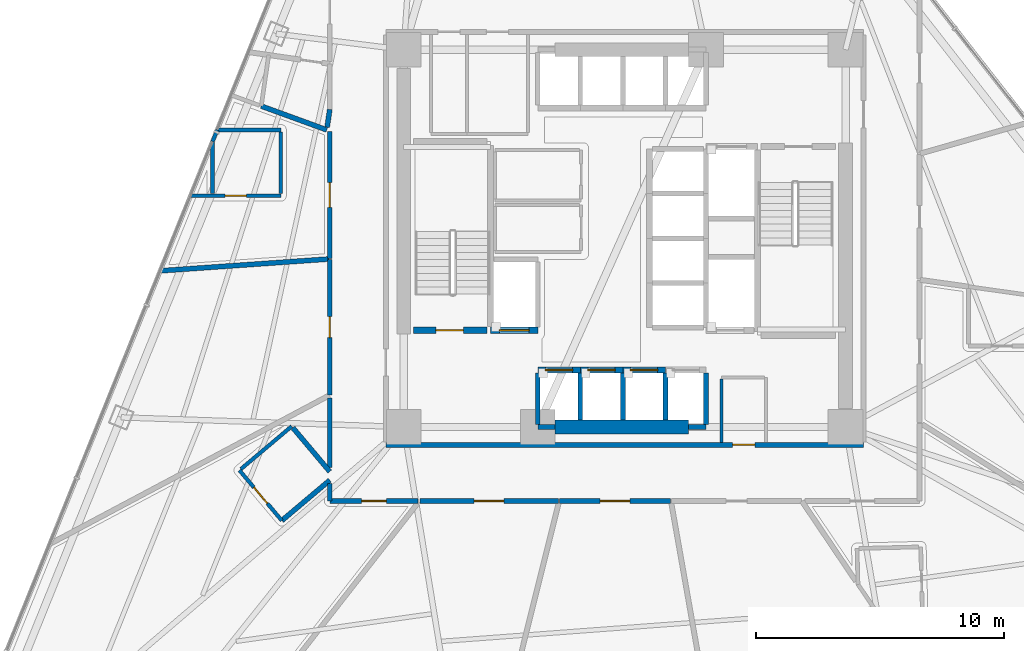
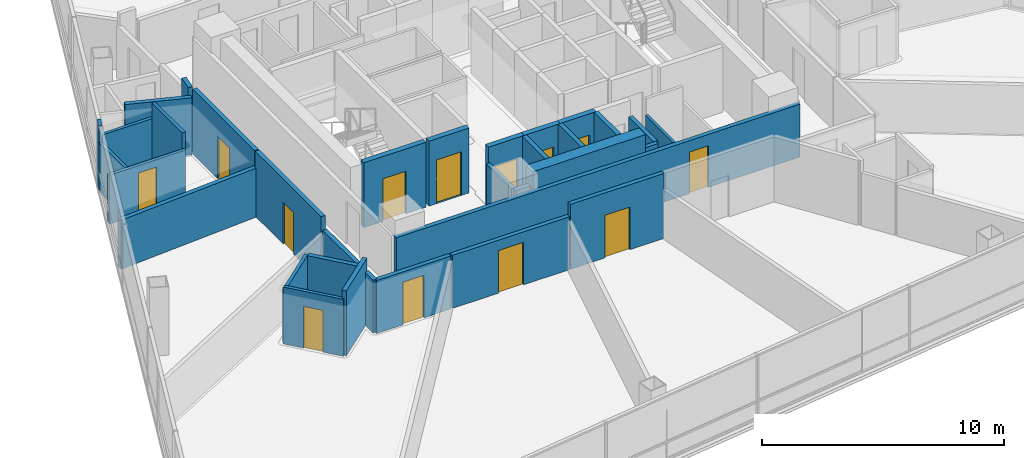
# One storey, part 7 of 15: 34 walls, 13 doors, 13 openings.
"""IFC4 building model written with IfcOpenShell, lengths in metres."""

from ifc_helpers import new_model, si_unit, direction, frame, frame_2d, origin, place, context, subcontext, project, spatial, rectangle, extrude, material, layer, layer_set, type_object, element, fill, save


model = new_model("IFC4")

# Units and contexts
model_context = context("Model", 3, precision=1e-05, world=origin(), true_north=direction((0.0, 1.0)))
body_context = subcontext(model_context, "Body", "Model", "MODEL_VIEW")
ifc_project = project(units=[si_unit("LENGTHUNIT", "METRE"), si_unit("AREAUNIT", "SQUARE_METRE"), si_unit("VOLUMEUNIT", "CUBIC_METRE"), si_unit("PLANEANGLEUNIT", "RADIAN"), si_unit("MASSUNIT", "GRAM", prefix="KILO")], contexts=[model_context])

# Site, building, storey
site_placement = place(None, origin())
site = spatial("IfcSite", under=ifc_project, at=site_placement, CompositionType="ELEMENT")
building_placement = place(site_placement, origin())
building = spatial("IfcBuilding", under=site, at=building_placement, Name="Tharavind Bronze Gate", CompositionType="ELEMENT")
storey_placement = place(building_placement, frame((0.0, 0.0, 67.300048828125)))
storey = spatial("IfcBuildingStorey", under=building, at=storey_placement, Name="L16", CompositionType="ELEMENT", Elevation=67.300048828125)

# Wall, opening, door
ifc_material_1 = material(Name="Aerated Concrete Block", Category="concrete")
ifc_layer_1 = layer(ifc_material_1, 0.199951171875)
ifc_layer_set_1 = layer_set([ifc_layer_1], Name="Aerated Concrete Block")
wall_type_1 = type_object("IfcWallType", Name="FIRE RATED PARTITION 200", PredefinedType="PARTITIONING", material=ifc_layer_set_1)
wall_1_placement = place(storey_placement, frame((-9.6201171875, -8.320068359375, 0.0), z_axis=(0.0, 0.0, 1.0), x_axis=(1.0, 0.0, 0.0)))
wall_1 = element("IfcWall", 1, at=wall_1_placement, inside=storey, type_object=wall_type_1, Name="L16 south core corridor wall", PredefinedType="PARTITIONING", context=body_context, shape_type="SweptSolid", body=[
    extrude(rectangle(XDim=19.240234375, YDim=0.199951171875, at=frame_2d((9.6201171875, 0.0))), origin(), (0.0, 0.0, 1.0), 2.669921875),
])
opening_1_placement = place(wall_1_placement, frame((13.969970703125, 0.0, 0.0)))
opening_1 = element("IfcOpeningElement", 2, at=opening_1_placement, cuts=wall_1, Name="Opening ID07", PredefinedType="OPENING", context=body_context, shape_type="SweptSolid", body=[
    extrude(rectangle(XDim=0.89990234375, YDim=2.10009765625, at=frame_2d((0.449951171875, 1.050048828125))), frame((0.0, 0.11009765625, 0.0), z_axis=(0.0, -1.0, 0.0), x_axis=(1.0, 0.0, 0.0)), (0.0, 0.0, 1.0), 0.219951171875),
])
ifc_material_2 = material(Name="Galvanised Fire Steel", Category="steel")
door_type_1 = type_object("IfcDoorType", Name="PLANT AND RISER FIRE DOOR 900X2100", OperationType="SINGLE_SWING_LEFT", PredefinedType="DOOR", material=ifc_material_2)
door_1_placement = place(opening_1_placement, frame((0.89990234375, 0.0, 0.0), z_axis=(0.0, 0.0, 1.0), x_axis=(-1.0, 0.0, 0.0)))
door_1 = element("IfcDoor", 3, at=door_1_placement, inside=storey, type_object=door_type_1, Name="L16 Janitor Store Cupboard fire door", OperationType="SINGLE_SWING_LEFT", OverallHeight=2.10009765625, OverallWidth=0.89990234375, PredefinedType="DOOR", context=body_context, shape_type="SweptSolid", body=[
    extrude(rectangle(XDim=0.89990234375, YDim=2.10009765625, at=frame_2d((0.449951171875, 1.050048828125))), frame((0.0, 0.02490234375, 0.0), z_axis=(0.0, -1.0, 0.0), x_axis=(1.0, 0.0, 0.0)), (0.0, 0.0, 1.0), 0.050048828125),
])
fill(opening_1, door_1)

# Walls
wall_2_placement = place(storey_placement, frame((-12.0, 4.36767578125, 0.0), z_axis=(0.0, 0.0, 1.0), x_axis=(-0.939689330019, 0.342029184499, 0.0)))
element("IfcWall", 4, at=wall_2_placement, inside=storey, type_object=wall_type_1, Name="L16 En-Suite Bathroom partition", PredefinedType="PARTITIONING", context=body_context, shape_type="SweptSolid", body=[
    extrude(rectangle(XDim=2.808837890625, YDim=0.199951171875, at=frame_2d((1.404296875, 0.0))), origin(), (0.0, 0.0, 1.0), 2.869873046875),
])
wall_3_placement = place(storey_placement, frame((-11.8798828125, 5.19384765625, 0.0), z_axis=(0.0, 0.0, 1.0), x_axis=(-0.143909981619, -0.989590782693, 0.0)))
element("IfcWall", 5, at=wall_3_placement, inside=storey, type_object=wall_type_1, Name="L16 En-Suite Bathroom partition", PredefinedType="PARTITIONING", context=body_context, shape_type="SweptSolid", body=[
    extrude(rectangle(XDim=0.727783203125, YDim=0.199951171875, at=frame_2d((0.36376953125, 0.0))), origin(), (0.0, 0.0, 1.0), 3.27490234375),
])
wall_4_placement = place(storey_placement, frame((-11.8798828125, -9.744873046875, 0.0), z_axis=(0.0, 0.0, 1.0), x_axis=(-0.764712982519, -0.644371053328, 0.0)))
element("IfcWall", 6, at=wall_4_placement, inside=storey, type_object=wall_type_1, Name="L16 En-Suite Bathroom partition", PredefinedType="PARTITIONING", context=body_context, shape_type="SweptSolid", body=[
    extrude(rectangle(XDim=2.523681640625, YDim=0.199951171875, at=frame_2d((1.26171875, 0.0))), origin(), (0.0, 0.0, 1.0), 3.27490234375),
])
wall_5_placement = place(storey_placement, frame((-13.363037109375, -7.6337890625, 0.0), z_axis=(0.0, 0.0, 1.0), x_axis=(0.644400290836, -0.764688345125, 0.0)))
element("IfcWall", 7, at=wall_5_placement, inside=storey, type_object=wall_type_1, Name="L16 En-Suite Bathroom partition", PredefinedType="PARTITIONING", context=body_context, shape_type="SweptSolid", body=[
    extrude(rectangle(XDim=2.301513671875, YDim=0.199951171875, at=frame_2d((1.15087890625, 0.0))), origin(), (0.0, 0.0, 1.0), 2.669921875),
])
wall_6_placement = place(storey_placement, frame((-18.688232421875, -1.306884765625, 0.0), z_axis=(0.0, 0.0, 1.0), x_axis=(0.997562443225, 0.069779451603, 0.0)))
element("IfcWall", 8, at=wall_6_placement, inside=storey, type_object=wall_type_1, Name="L16 Public Restrooms Block partition", PredefinedType="PARTITIONING", context=body_context, shape_type="SweptSolid", body=[
    extrude(rectangle(XDim=6.798095703125, YDim=0.199951171875, at=frame_2d((3.39892578125, 0.0))), origin(), (0.0, 0.0, 1.0), 2.469970703125),
])

# Wall, opening, door
wall_7_placement = place(storey_placement, frame((-11.8798828125, -0.857421875, 0.0), z_axis=(0.0, 0.0, 1.0), x_axis=(0.0, -1.0, 0.0)))
wall_7 = element("IfcWall", 9, at=wall_7_placement, inside=storey, type_object=wall_type_1, Name="L16 Public Restrooms Block partition", PredefinedType="PARTITIONING", context=body_context, shape_type="SweptSolid", body=[
    extrude(rectangle(XDim=5.4443359375, YDim=0.199951171875, at=frame_2d((2.72216796875, 0.0))), origin(), (0.0, 0.0, 1.0), 3.27490234375),
])
opening_2_placement = place(wall_7_placement, frame((2.297119140625, 0.0, 0.0)))
opening_2 = element("IfcOpeningElement", 10, at=opening_2_placement, cuts=wall_7, Name="Opening ID06", PredefinedType="OPENING", context=body_context, shape_type="SweptSolid", body=[
    extrude(rectangle(XDim=0.85009765625, YDim=2.10009765625, at=frame_2d((0.425048828125, 1.050048828125))), frame((0.0, 0.11009765625, 0.0), z_axis=(0.0, -1.0, 0.0), x_axis=(1.0, 0.0, 0.0)), (0.0, 0.0, 1.0), 0.219951171875),
])
ifc_material_3 = material(Name="Moisture-Resistant Timber", Category="wood")
door_type_2 = type_object("IfcDoorType", Name="BATHROOM PRIVACY DOOR 850X2100", OperationType="SINGLE_SWING_RIGHT", PredefinedType="DOOR", material=ifc_material_3)
door_2_placement = place(opening_2_placement, origin())
door_2 = element("IfcDoor", 11, at=door_2_placement, inside=storey, type_object=door_type_2, Name="L16 Public Restrooms Block door", OperationType="SINGLE_SWING_RIGHT", OverallHeight=2.10009765625, OverallWidth=0.85009765625, PredefinedType="DOOR", context=body_context, shape_type="SweptSolid", body=[
    extrude(rectangle(XDim=0.85009765625, YDim=2.10009765625, at=frame_2d((0.425048828125, 1.050048828125))), frame((0.0, 0.02490234375, 0.0), z_axis=(0.0, -1.0, 0.0), x_axis=(1.0, 0.0, 0.0)), (0.0, 0.0, 1.0), 0.050048828125),
])
fill(opening_2, door_2)

wall_8_placement = place(storey_placement, frame((-11.8798828125, 4.306396484375, 0.0), z_axis=(0.0, 0.0, 1.0), x_axis=(0.0, -1.0, 0.0)))
wall_8 = element("IfcWall", 12, at=wall_8_placement, inside=storey, type_object=wall_type_1, Name="L16 Hotel Guest Room partition", PredefinedType="PARTITIONING", context=body_context, shape_type="SweptSolid", body=[
    extrude(rectangle(XDim=5.11376953125, YDim=0.199951171875, at=frame_2d((2.556884765625, 0.0))), origin(), (0.0, 0.0, 1.0), 3.27490234375),
])
opening_3_placement = place(wall_8_placement, frame((2.056884765625, 0.0, 0.0)))
opening_3 = element("IfcOpeningElement", 13, at=opening_3_placement, cuts=wall_8, Name="Opening ID03", PredefinedType="OPENING", context=body_context, shape_type="SweptSolid", body=[
    extrude(rectangle(XDim=1.0, YDim=2.14990234375, at=frame_2d((0.5, 1.074951171875))), frame((0.0, 0.11009765625, 0.0), z_axis=(0.0, -1.0, 0.0), x_axis=(1.0, 0.0, 0.0)), (0.0, 0.0, 1.0), 0.219951171875),
])
ifc_material_4 = material(Name="Solid Timber Veneer", Category="wood")
door_type_3 = type_object("IfcDoorType", Name="HOTEL SUITE ENTRANCE DOOR 1000X2150", OperationType="SINGLE_SWING_LEFT", PredefinedType="DOOR", material=ifc_material_4)
door_3_placement = place(opening_3_placement, origin())
door_3 = element("IfcDoor", 14, at=door_3_placement, inside=storey, type_object=door_type_3, Name="L16 Hotel Guest Room door", OperationType="SINGLE_SWING_LEFT", OverallHeight=2.14990234375, OverallWidth=1.0, PredefinedType="DOOR", context=body_context, shape_type="SweptSolid", body=[
    extrude(rectangle(XDim=1.0, YDim=2.14990234375, at=frame_2d((0.5, 1.074951171875))), frame((0.0, 0.02490234375, 0.0), z_axis=(0.0, -1.0, 0.0), x_axis=(1.0, 0.0, 0.0)), (0.0, 0.0, 1.0), 0.050048828125),
])
fill(opening_3, door_3)

# Walls
wall_9_placement = place(storey_placement, frame((-11.8798828125, -6.435546875, 0.0), z_axis=(0.0, 0.0, 1.0), x_axis=(0.0, -1.0, 0.0)))
element("IfcWall", 15, at=wall_9_placement, inside=storey, type_object=wall_type_1, Name="L16 Deluxe Hotel Suite partition", PredefinedType="PARTITIONING", context=body_context, shape_type="SweptSolid", body=[
    extrude(rectangle(XDim=2.795166015625, YDim=0.199951171875, at=frame_2d((1.3974609375, 0.0))), origin(), (0.0, 0.0, 1.0), 2.669921875),
])
wall_10_placement = place(storey_placement, frame((-11.8798828125, -9.882080078125, 0.0), z_axis=(0.0, 0.0, 1.0), x_axis=(0.0, -1.0, 0.0)))
element("IfcWall", 16, at=wall_10_placement, inside=storey, type_object=wall_type_1, Name="L16 Deluxe Hotel Suite partition", PredefinedType="PARTITIONING", context=body_context, shape_type="SweptSolid", body=[
    extrude(rectangle(XDim=0.697265625, YDim=0.199951171875, at=frame_2d((0.3486328125, 0.0))), origin(), (0.0, 0.0, 1.0), 2.669921875),
])

# Wall, opening, door
wall_11_placement = place(storey_placement, frame((-11.87939453125, -10.580078125, 0.0), z_axis=(0.0, 0.0, 1.0), x_axis=(1.0, 0.0, 0.0)))
wall_11 = element("IfcWall", 17, at=wall_11_placement, inside=storey, type_object=wall_type_1, Name="L16 Deluxe Hotel Suite partition", PredefinedType="PARTITIONING", context=body_context, shape_type="SweptSolid", body=[
    extrude(rectangle(XDim=3.56201171875, YDim=0.199951171875, at=frame_2d((1.781005859375, 0.0))), origin(), (0.0, 0.0, 1.0), 2.669921875),
])
opening_4_placement = place(wall_11_placement, frame((1.281005859375, 0.0, 0.0)))
opening_4 = element("IfcOpeningElement", 18, at=opening_4_placement, cuts=wall_11, Name="Opening ID03", PredefinedType="OPENING", context=body_context, shape_type="SweptSolid", body=[
    extrude(rectangle(XDim=1.0, YDim=2.14990234375, at=frame_2d((0.5, 1.074951171875))), frame((0.0, 0.11009765625, 0.0), z_axis=(0.0, -1.0, 0.0), x_axis=(1.0, 0.0, 0.0)), (0.0, 0.0, 1.0), 0.219951171875),
])
door_4_placement = place(opening_4_placement, origin())
door_4 = element("IfcDoor", 19, at=door_4_placement, inside=storey, type_object=door_type_3, Name="L16 Deluxe Hotel Suite door", OperationType="SINGLE_SWING_LEFT", OverallHeight=2.14990234375, OverallWidth=1.0, PredefinedType="DOOR", context=body_context, shape_type="SweptSolid", body=[
    extrude(rectangle(XDim=1.0, YDim=2.14990234375, at=frame_2d((0.5, 1.074951171875))), frame((0.0, 0.02490234375, 0.0), z_axis=(0.0, -1.0, 0.0), x_axis=(1.0, 0.0, 0.0)), (0.0, 0.0, 1.0), 0.050048828125),
])
fill(opening_4, door_4)

wall_12_placement = place(storey_placement, frame((-8.25390625, -10.580078125, 0.0), z_axis=(0.0, 0.0, 1.0), x_axis=(1.0, 0.0, 0.0)))
wall_12 = element("IfcWall", 20, at=wall_12_placement, inside=storey, type_object=wall_type_1, Name="L16 Hotel Guest Lounge partition", PredefinedType="PARTITIONING", context=body_context, shape_type="SweptSolid", body=[
    extrude(rectangle(XDim=5.583984375, YDim=0.199951171875, at=frame_2d((2.7919921875, 0.0))), origin(), (0.0, 0.0, 1.0), 2.669921875),
])
opening_5_placement = place(wall_12_placement, frame((2.19189453125, 0.0, 0.0)))
opening_5 = element("IfcOpeningElement", 21, at=opening_5_placement, cuts=wall_12, Name="Opening ID05", PredefinedType="OPENING", context=body_context, shape_type="SweptSolid", body=[
    extrude(rectangle(XDim=1.199951171875, YDim=2.14990234375, at=frame_2d((0.60009765625, 1.074951171875))), frame((0.0, 0.11009765625, 0.0), z_axis=(0.0, -1.0, 0.0), x_axis=(1.0, 0.0, 0.0)), (0.0, 0.0, 1.0), 0.219951171875),
])
ifc_material_5 = material(Name="Acoustic Laminated Glass", Category="glass")
door_type_4 = type_object("IfcDoorType", Name="MEETING ROOM GLAZED DOOR 1200X2150", OperationType="SINGLE_SWING_LEFT", PredefinedType="DOOR", material=ifc_material_5)
door_5_placement = place(opening_5_placement, origin())
door_5 = element("IfcDoor", 22, at=door_5_placement, inside=storey, type_object=door_type_4, Name="L16 Hotel Guest Lounge door", OperationType="SINGLE_SWING_LEFT", OverallHeight=2.14990234375, OverallWidth=1.199951171875, PredefinedType="DOOR", context=body_context, shape_type="SweptSolid", body=[
    extrude(rectangle(XDim=1.199951171875, YDim=2.14990234375, at=frame_2d((0.60009765625, 1.074951171875))), frame((0.0, 0.02490234375, 0.0), z_axis=(0.0, -1.0, 0.0), x_axis=(1.0, 0.0, 0.0)), (0.0, 0.0, 1.0), 0.050048828125),
])
fill(opening_5, door_5)

wall_13_placement = place(storey_placement, frame((-2.618408203125, -10.580078125, 0.0), z_axis=(0.0, 0.0, 1.0), x_axis=(1.0, 0.0, 0.0)))
wall_13 = element("IfcWall", 23, at=wall_13_placement, inside=storey, type_object=wall_type_1, Name="L16 Hotel Guest Lounge partition", PredefinedType="PARTITIONING", context=body_context, shape_type="SweptSolid", body=[
    extrude(rectangle(XDim=4.462890625, YDim=0.199951171875, at=frame_2d((2.2314453125, 0.0))), origin(), (0.0, 0.0, 1.0), 3.27490234375),
])
opening_6_placement = place(wall_13_placement, frame((1.631103515625, 0.0, 0.0)))
opening_6 = element("IfcOpeningElement", 24, at=opening_6_placement, cuts=wall_13, Name="Opening ID05", PredefinedType="OPENING", context=body_context, shape_type="SweptSolid", body=[
    extrude(rectangle(XDim=1.199951171875, YDim=2.14990234375, at=frame_2d((0.60009765625, 1.074951171875))), frame((0.0, 0.11009765625, 0.0), z_axis=(0.0, -1.0, 0.0), x_axis=(1.0, 0.0, 0.0)), (0.0, 0.0, 1.0), 0.219951171875),
])
door_6_placement = place(opening_6_placement, origin())
door_6 = element("IfcDoor", 25, at=door_6_placement, inside=storey, type_object=door_type_4, Name="L16 Hotel Guest Lounge door", OperationType="SINGLE_SWING_LEFT", OverallHeight=2.14990234375, OverallWidth=1.199951171875, PredefinedType="DOOR", context=body_context, shape_type="SweptSolid", body=[
    extrude(rectangle(XDim=1.199951171875, YDim=2.14990234375, at=frame_2d((0.60009765625, 1.074951171875))), frame((0.0, 0.02490234375, 0.0), z_axis=(0.0, -1.0, 0.0), x_axis=(1.0, 0.0, 0.0)), (0.0, 0.0, 1.0), 0.050048828125),
])
fill(opening_6, door_6)

# Wall
ifc_material_6 = material(Name="Metal Stud Gypsum Partition", Category="gypsum")
ifc_layer_2 = layer(ifc_material_6, 0.1201171875)
ifc_layer_set_2 = layer_set([ifc_layer_2], Name="Metal Stud Gypsum Partition")
wall_type_2 = type_object("IfcWallType", Name="INTERIOR PARTITION WALL 120", PredefinedType="PARTITIONING", material=ifc_layer_set_2)
wall_14_placement = place(storey_placement, frame((3.89990234375, -5.6650390625, 0.0), z_axis=(0.0, 0.0, 1.0), x_axis=(0.0, -1.0, 0.0)))
element("IfcWall", 26, at=wall_14_placement, inside=storey, type_object=wall_type_2, Name="L16 Janitor Store Cupboard partition 4", PredefinedType="PARTITIONING", context=body_context, shape_type="SweptSolid", body=[
    extrude(rectangle(XDim=2.550048828125, YDim=0.1201171875, at=frame_2d((1.27490234375, 0.0))), origin(), (0.0, 0.0, 1.0), 2.469970703125),
])

# Wall, opening, door
ifc_material_7 = material(Name="Twin Stud Acoustic Gypsum", Category="gypsum")
ifc_layer_3 = layer(ifc_material_7, 0.14990234375)
ifc_layer_set_3 = layer_set([ifc_layer_3], Name="Twin Stud Acoustic Gypsum")
wall_type_3 = type_object("IfcWallType", Name="INTERIOR PARTITION WALL 150", PredefinedType="PARTITIONING", material=ifc_layer_set_3)
wall_15_placement = place(storey_placement, frame((-13.85009765625, 1.717529296875, 0.0), z_axis=(0.0, 0.0, 1.0), x_axis=(-1.0, 0.0, 0.0)))
wall_15 = element("IfcWall", 27, at=wall_15_placement, inside=storey, type_object=wall_type_3, Name="L16 En-Suite Bathroom partition", PredefinedType="PARTITIONING", context=body_context, shape_type="SweptSolid", body=[
    extrude(rectangle(XDim=3.63134765625, YDim=0.14990234375, at=frame_2d((1.815673828125, 0.0))), origin(), (0.0, 0.0, 1.0), 2.469970703125),
])
opening_7_placement = place(wall_15_placement, frame((1.39111328125, 0.0, 0.0)))
opening_7 = element("IfcOpeningElement", 28, at=opening_7_placement, cuts=wall_15, Name="Opening ID06", PredefinedType="OPENING", context=body_context, shape_type="SweptSolid", body=[
    extrude(rectangle(XDim=0.85009765625, YDim=2.10009765625, at=frame_2d((0.425048828125, 1.050048828125))), frame((0.0, 0.084951171875, 0.0), z_axis=(0.0, -1.0, 0.0), x_axis=(1.0, 0.0, 0.0)), (0.0, 0.0, 1.0), 0.16990234375),
])
door_7_placement = place(opening_7_placement, origin())
door_7 = element("IfcDoor", 29, at=door_7_placement, inside=storey, type_object=door_type_2, Name="L16 En-Suite Bathroom door", OperationType="SINGLE_SWING_RIGHT", OverallHeight=2.10009765625, OverallWidth=0.85009765625, PredefinedType="DOOR", context=body_context, shape_type="SweptSolid", body=[
    extrude(rectangle(XDim=0.85009765625, YDim=2.10009765625, at=frame_2d((0.425048828125, 1.050048828125))), frame((0.0, 0.02490234375, 0.0), z_axis=(0.0, -1.0, 0.0), x_axis=(1.0, 0.0, 0.0)), (0.0, 0.0, 1.0), 0.050048828125),
])
fill(opening_7, door_7)

# Walls
wall_16_placement = place(storey_placement, frame((-16.60009765625, 1.797607421875, 0.0), z_axis=(0.0, 0.0, 1.0), x_axis=(0.0, 1.0, 0.0)))
element("IfcWall", 30, at=wall_16_placement, inside=storey, type_object=wall_type_3, Name="L16 En-Suite Bathroom partition", PredefinedType="PARTITIONING", context=body_context, shape_type="SweptSolid", body=[
    extrude(rectangle(XDim=2.1015625, YDim=0.14990234375, at=frame_2d((1.05078125, 0.0))), origin(), (0.0, 0.0, 1.0), 2.469970703125),
])
wall_17_placement = place(storey_placement, frame((-16.60009765625, 3.899169921875, 0.0), z_axis=(0.0, 0.0, 1.0), x_axis=(0.374886357565, 0.92707077341, 0.0)))
element("IfcWall", 31, at=wall_17_placement, inside=storey, type_object=wall_type_3, Name="L16 En-Suite Bathroom partition", PredefinedType="PARTITIONING", context=body_context, shape_type="SweptSolid", body=[
    extrude(rectangle(XDim=0.50537109375, YDim=0.14990234375, at=frame_2d((0.252685546875, 0.0))), origin(), (0.0, 0.0, 1.0), 3.27490234375),
])
wall_18_placement = place(storey_placement, frame((-16.41064453125, 4.36767578125, 0.0), z_axis=(0.0, 0.0, 1.0), x_axis=(1.0, 0.0, 0.0)))
element("IfcWall", 32, at=wall_18_placement, inside=storey, type_object=wall_type_3, Name="L16 En-Suite Bathroom partition", PredefinedType="PARTITIONING", context=body_context, shape_type="SweptSolid", body=[
    extrude(rectangle(XDim=2.560546875, YDim=0.14990234375, at=frame_2d((1.2802734375, 0.0))), origin(), (0.0, 0.0, 1.0), 2.469970703125),
])
wall_19_placement = place(storey_placement, frame((-13.85009765625, 4.28759765625, 0.0), z_axis=(0.0, 0.0, 1.0), x_axis=(0.0, -1.0, 0.0)))
element("IfcWall", 33, at=wall_19_placement, inside=storey, type_object=wall_type_3, Name="L16 En-Suite Bathroom partition", PredefinedType="PARTITIONING", context=body_context, shape_type="SweptSolid", body=[
    extrude(rectangle(XDim=2.489990234375, YDim=0.14990234375, at=frame_2d((1.2451171875, 0.0))), origin(), (0.0, 0.0, 1.0), 3.27490234375),
])

# Wall, opening, door
wall_20_placement = place(storey_placement, frame((-13.809814453125, -11.37109375, 0.0), z_axis=(0.0, 0.0, 1.0), x_axis=(-0.644478981733, 0.764622025647, 0.0)))
wall_20 = element("IfcWall", 34, at=wall_20_placement, inside=storey, type_object=wall_type_3, Name="L16 En-Suite Bathroom partition", PredefinedType="PARTITIONING", context=body_context, shape_type="SweptSolid", body=[
    extrude(rectangle(XDim=2.64990234375, YDim=0.14990234375, at=frame_2d((1.324951171875, 0.0))), origin(), (0.0, 0.0, 1.0), 2.869873046875),
])
opening_8_placement = place(wall_20_placement, frame((0.89990234375, 0.0, 0.0)))
opening_8 = element("IfcOpeningElement", 35, at=opening_8_placement, cuts=wall_20, Name="Opening ID06", PredefinedType="OPENING", context=body_context, shape_type="SweptSolid", body=[
    extrude(rectangle(XDim=0.85009765625, YDim=2.10009765625, at=frame_2d((0.425048828125, 1.050048828125))), frame((0.0, 0.084951171875, 0.0), z_axis=(0.0, -1.0, 0.0), x_axis=(1.0, 0.0, 0.0)), (0.0, 0.0, 1.0), 0.16990234375),
])
door_8_placement = place(opening_8_placement, origin())
door_8 = element("IfcDoor", 36, at=door_8_placement, inside=storey, type_object=door_type_2, Name="L16 En-Suite Bathroom door", OperationType="SINGLE_SWING_RIGHT", OverallHeight=2.10009765625, OverallWidth=0.85009765625, PredefinedType="DOOR", context=body_context, shape_type="SweptSolid", body=[
    extrude(rectangle(XDim=0.85009765625, YDim=2.10009765625, at=frame_2d((0.425048828125, 1.050048828125))), frame((0.0, 0.02490234375, 0.0), z_axis=(0.0, -1.0, 0.0), x_axis=(1.0, 0.0, 0.0)), (0.0, 0.0, 1.0), 0.050048828125),
])
fill(opening_8, door_8)

# Wall
wall_21_placement = place(storey_placement, frame((-15.456298828125, -9.293212890625, 0.0), z_axis=(0.0, 0.0, 1.0), x_axis=(0.764709608169, 0.644375057846, 0.0)))
element("IfcWall", 37, at=wall_21_placement, inside=storey, type_object=wall_type_3, Name="L16 En-Suite Bathroom partition", PredefinedType="PARTITIONING", context=body_context, shape_type="SweptSolid", body=[
    extrude(rectangle(XDim=2.669921875, YDim=0.14990234375, at=frame_2d((1.3349609375, 0.0))), origin(), (0.0, 0.0, 1.0), 2.669921875),
])

# Wall, opening, door
ifc_material_8 = material(Name="Concrete C50/60", Category="concrete")
ifc_layer_4 = layer(ifc_material_8, 0.25)
ifc_layer_set_4 = layer_set([ifc_layer_4], Name="Concrete C50/60")
wall_type_4 = type_object("IfcWallType", Name="RC CORE SHEAR WALL 250", PredefinedType="SHEAR", material=ifc_layer_set_4)
wall_22_placement = place(storey_placement, frame((-8.5, -3.699951171875, 0.0), z_axis=(0.0, 0.0, 1.0), x_axis=(1.0, 0.0, 0.0)))
wall_22 = element("IfcWall", 38, at=wall_22_placement, inside=storey, type_object=wall_type_4, Name="L16 ST1 shaft south wall", PredefinedType="SHEAR", context=body_context, shape_type="SweptSolid", body=[
    extrude(rectangle(XDim=2.949951171875, YDim=0.25, at=frame_2d((1.47509765625, 0.0))), origin(), (0.0, 0.0, 1.0), 3.27490234375),
])
opening_9_placement = place(wall_22_placement, frame((0.89990234375, 0.0, 0.0)))
opening_9 = element("IfcOpeningElement", 39, at=opening_9_placement, cuts=wall_22, Name="Opening ID01", PredefinedType="OPENING", context=body_context, shape_type="SweptSolid", body=[
    extrude(rectangle(XDim=1.10009765625, YDim=2.14990234375, at=frame_2d((0.550048828125, 1.074951171875))), frame((0.0, 0.135, 0.0), z_axis=(0.0, -1.0, 0.0), x_axis=(1.0, 0.0, 0.0)), (0.0, 0.0, 1.0), 0.27),
])
ifc_material_9 = material(Name="Fire-Rated Steel", Category="steel")
door_type_5 = type_object("IfcDoorType", Name="STAIR CORE FIRE DOOR 1100X2150", OperationType="SINGLE_SWING_LEFT", PredefinedType="DOOR", material=ifc_material_9)
door_9_placement = place(opening_9_placement, origin())
door_9 = element("IfcDoor", 40, at=door_9_placement, inside=storey, type_object=door_type_5, Name="L16 exit stair ST1 fire door", OperationType="SINGLE_SWING_LEFT", OverallHeight=2.14990234375, OverallWidth=1.10009765625, PredefinedType="DOOR", context=body_context, shape_type="SweptSolid", body=[
    extrude(rectangle(XDim=1.10009765625, YDim=2.14990234375, at=frame_2d((0.550048828125, 1.074951171875))), frame((0.0, 0.02490234375, 0.0), z_axis=(0.0, -1.0, 0.0), x_axis=(1.0, 0.0, 0.0)), (0.0, 0.0, 1.0), 0.050048828125),
])
fill(opening_9, door_9)

wall_23_placement = place(storey_placement, frame((-3.5, -5.300048828125, 0.0), z_axis=(0.0, 0.0, 1.0), x_axis=(1.0, 0.0, 0.0)))
wall_23 = element("IfcWall", 41, at=wall_23_placement, inside=storey, type_object=wall_type_4, Name="L16 lift PL1 shaft front wall", PredefinedType="SHEAR", context=body_context, shape_type="SweptSolid", body=[
    extrude(rectangle(XDim=1.71240234375, YDim=0.25, at=frame_2d((0.856201171875, 0.0))), origin(), (0.0, 0.0, 1.0), 3.27490234375),
])
opening_10_placement = place(wall_23_placement, frame((0.305908203125, 0.0, 0.0)))
opening_10 = element("IfcOpeningElement", 42, at=opening_10_placement, cuts=wall_23, Name="Opening LD01", PredefinedType="OPENING", context=body_context, shape_type="SweptSolid", body=[
    extrude(rectangle(XDim=1.10009765625, YDim=2.199951171875, at=frame_2d((0.550048828125, 1.10009765625))), frame((0.0, 0.135, 0.0), z_axis=(0.0, -1.0, 0.0), x_axis=(1.0, 0.0, 0.0)), (0.0, 0.0, 1.0), 0.27),
])
ifc_material_10 = material(Name="Brushed Bronze Stainless Steel", Category="steel")
door_type_6 = type_object("IfcDoorType", Name="LIFT LANDING SLIDING DOOR 1100X2200", OperationType="SLIDING_TO_LEFT", PredefinedType="DOOR", material=ifc_material_10)
door_10_placement = place(opening_10_placement, origin())
door_10 = element("IfcDoor", 43, at=door_10_placement, inside=storey, type_object=door_type_6, Name="L16 lift PL1 sliding landing door", OperationType="SLIDING_TO_LEFT", OverallHeight=2.199951171875, OverallWidth=1.10009765625, PredefinedType="DOOR", context=body_context, shape_type="SweptSolid", body=[
    extrude(rectangle(XDim=1.10009765625, YDim=2.199951171875, at=frame_2d((0.550048828125, 1.10009765625))), frame((0.0, 0.02490234375, 0.0), z_axis=(0.0, -1.0, 0.0), x_axis=(1.0, 0.0, 0.0)), (0.0, 0.0, 1.0), 0.050048828125),
])
fill(opening_10, door_10)

wall_24_placement = place(storey_placement, frame((-1.78759765625, -5.300048828125, 0.0), z_axis=(0.0, 0.0, 1.0), x_axis=(1.0, 0.0, 0.0)))
wall_24 = element("IfcWall", 44, at=wall_24_placement, inside=storey, type_object=wall_type_4, Name="L16 lift PL2 shaft front wall", PredefinedType="SHEAR", context=body_context, shape_type="SweptSolid", body=[
    extrude(rectangle(XDim=1.712646484375, YDim=0.25, at=frame_2d((0.8564453125, 0.0))), origin(), (0.0, 0.0, 1.0), 3.27490234375),
])
opening_11_placement = place(wall_24_placement, frame((0.305908203125, 0.0, 0.0)))
opening_11 = element("IfcOpeningElement", 45, at=opening_11_placement, cuts=wall_24, Name="Opening LD01", PredefinedType="OPENING", context=body_context, shape_type="SweptSolid", body=[
    extrude(rectangle(XDim=1.10009765625, YDim=2.199951171875, at=frame_2d((0.550048828125, 1.10009765625))), frame((0.0, 0.135, 0.0), z_axis=(0.0, -1.0, 0.0), x_axis=(1.0, 0.0, 0.0)), (0.0, 0.0, 1.0), 0.27),
])
door_11_placement = place(opening_11_placement, origin())
door_11 = element("IfcDoor", 46, at=door_11_placement, inside=storey, type_object=door_type_6, Name="L16 lift PL2 sliding landing door", OperationType="SLIDING_TO_LEFT", OverallHeight=2.199951171875, OverallWidth=1.10009765625, PredefinedType="DOOR", context=body_context, shape_type="SweptSolid", body=[
    extrude(rectangle(XDim=1.10009765625, YDim=2.199951171875, at=frame_2d((0.550048828125, 1.10009765625))), frame((0.0, 0.02490234375, 0.0), z_axis=(0.0, -1.0, 0.0), x_axis=(1.0, 0.0, 0.0)), (0.0, 0.0, 1.0), 0.050048828125),
])
fill(opening_11, door_11)

wall_25_placement = place(storey_placement, frame((-0.074951171875, -5.300048828125, 0.0), z_axis=(0.0, 0.0, 1.0), x_axis=(1.0, 0.0, 0.0)))
wall_25 = element("IfcWall", 47, at=wall_25_placement, inside=storey, type_object=wall_type_4, Name="L16 lift PL3 shaft front wall", PredefinedType="SHEAR", context=body_context, shape_type="SweptSolid", body=[
    extrude(rectangle(XDim=1.71240234375, YDim=0.25, at=frame_2d((0.856201171875, 0.0))), origin(), (0.0, 0.0, 1.0), 3.27490234375),
])
opening_12_placement = place(wall_25_placement, frame((0.305908203125, 0.0, 0.0)))
opening_12 = element("IfcOpeningElement", 48, at=opening_12_placement, cuts=wall_25, Name="Opening LD01", PredefinedType="OPENING", context=body_context, shape_type="SweptSolid", body=[
    extrude(rectangle(XDim=1.10009765625, YDim=2.199951171875, at=frame_2d((0.550048828125, 1.10009765625))), frame((0.0, 0.135, 0.0), z_axis=(0.0, -1.0, 0.0), x_axis=(1.0, 0.0, 0.0)), (0.0, 0.0, 1.0), 0.27),
])
door_12_placement = place(opening_12_placement, origin())
door_12 = element("IfcDoor", 49, at=door_12_placement, inside=storey, type_object=door_type_6, Name="L16 lift PL3 sliding landing door", OperationType="SLIDING_TO_LEFT", OverallHeight=2.199951171875, OverallWidth=1.10009765625, PredefinedType="DOOR", context=body_context, shape_type="SweptSolid", body=[
    extrude(rectangle(XDim=1.10009765625, YDim=2.199951171875, at=frame_2d((0.550048828125, 1.10009765625))), frame((0.0, 0.02490234375, 0.0), z_axis=(0.0, -1.0, 0.0), x_axis=(1.0, 0.0, 0.0)), (0.0, 0.0, 1.0), 0.050048828125),
])
fill(opening_12, door_12)

wall_26_placement = place(storey_placement, frame((-5.39990234375, -3.699951171875, 0.0), z_axis=(0.0, 0.0, 1.0), x_axis=(1.0, 0.0, 0.0)))
wall_26 = element("IfcWall", 50, at=wall_26_placement, inside=storey, type_object=wall_type_4, Name="L16 lift FFL1 shaft front wall", PredefinedType="SHEAR", context=body_context, shape_type="SweptSolid", body=[
    extrude(rectangle(XDim=1.89990234375, YDim=0.25, at=frame_2d((0.949951171875, 0.0))), origin(), (0.0, 0.0, 1.0), 3.27490234375),
])
opening_13_placement = place(wall_26_placement, frame((0.35009765625, 0.0, 0.0)))
opening_13 = element("IfcOpeningElement", 51, at=opening_13_placement, cuts=wall_26, Name="Opening LD02", PredefinedType="OPENING", context=body_context, shape_type="SweptSolid", body=[
    extrude(rectangle(XDim=1.199951171875, YDim=2.199951171875, at=frame_2d((0.60009765625, 1.10009765625))), frame((0.0, 0.135, 0.0), z_axis=(0.0, -1.0, 0.0), x_axis=(1.0, 0.0, 0.0)), (0.0, 0.0, 1.0), 0.27),
])
ifc_material_11 = material(Name="Brushed Stainless Steel", Category="steel")
door_type_7 = type_object("IfcDoorType", Name="FIREFIGHTING LIFT LANDING DOOR 1200X2200", OperationType="SLIDING_TO_RIGHT", PredefinedType="DOOR", material=ifc_material_11)
door_13_placement = place(opening_13_placement, origin())
door_13 = element("IfcDoor", 52, at=door_13_placement, inside=storey, type_object=door_type_7, Name="L16 lift FFL1 sliding landing door", OperationType="SLIDING_TO_RIGHT", OverallHeight=2.199951171875, OverallWidth=1.199951171875, PredefinedType="DOOR", context=body_context, shape_type="SweptSolid", body=[
    extrude(rectangle(XDim=1.199951171875, YDim=2.199951171875, at=frame_2d((0.60009765625, 1.10009765625))), frame((0.0, 0.02490234375, 0.0), z_axis=(0.0, -1.0, 0.0), x_axis=(1.0, 0.0, 0.0)), (0.0, 0.0, 1.0), 0.050048828125),
])
fill(opening_13, door_13)

# Walls
ifc_material_12 = material(Name="Concrete C60/75", Category="concrete")
ifc_layer_5 = layer(ifc_material_12, 0.550048828125)
ifc_layer_set_5 = layer_set([ifc_layer_5], Name="Concrete C60/75")
wall_type_5 = type_object("IfcWallType", Name="RC CORE SHEAR WALL 550", PredefinedType="SHEAR", material=ifc_layer_set_5)
wall_27_placement = place(storey_placement, frame((-2.800048828125, -7.60009765625, 0.0), z_axis=(0.0, 0.0, 1.0), x_axis=(1.0, 0.0, 0.0)))
element("IfcWall", 53, at=wall_27_placement, inside=storey, type_object=wall_type_5, Name="L16 south core shear wall", PredefinedType="SHEAR", context=body_context, shape_type="SweptSolid", body=[
    extrude(rectangle(XDim=5.380126953125, YDim=0.550048828125, at=frame_2d((2.68994140625, 0.0))), origin(), (0.0, 0.0, 1.0), 3.27490234375),
])
ifc_material_13 = material(Name="Concrete C40/50", Category="concrete")
ifc_layer_6 = layer(ifc_material_13, 0.199951171875)
ifc_layer_set_6 = layer_set([ifc_layer_6], Name="Concrete C40/50")
wall_type_6 = type_object("IfcWallType", Name="SHAFT ENCLOSURE WALL 200", PredefinedType="PARTITIONING", material=ifc_layer_set_6)
wall_28_placement = place(storey_placement, frame((-3.5, -7.60009765625, 0.0), z_axis=(0.0, 0.0, 1.0), x_axis=(1.0, 0.0, 0.0)))
element("IfcWall", 54, at=wall_28_placement, inside=storey, type_object=wall_type_6, Name="L16 lift PL1 shaft S enclosure wall", PredefinedType="PARTITIONING", context=body_context, shape_type="SweptSolid", body=[
    extrude(rectangle(XDim=0.699951171875, YDim=0.199951171875, at=frame_2d((0.35009765625, 0.0))), origin(), (0.0, 0.0, 1.0), 2.469970703125),
])
wall_29_placement = place(storey_placement, frame((-3.5, -7.4951171875, 0.0), z_axis=(0.0, 0.0, 1.0), x_axis=(0.0, 1.0, 0.0)))
element("IfcWall", 55, at=wall_29_placement, inside=storey, type_object=wall_type_6, Name="L16 lift PL1 shaft W enclosure wall", PredefinedType="PARTITIONING", context=body_context, shape_type="SweptSolid", body=[
    extrude(rectangle(XDim=2.065185546875, YDim=0.199951171875, at=frame_2d((1.03271484375, 0.0))), origin(), (0.0, 0.0, 1.0), 2.469970703125),
])
for number, where, z_axis, x_axis, name in (
    (56, (-1.78759765625, -7.320068359375, 0.0), (0.0, 0.0, 1.0), (0.0, 1.0, 0.0), "L16 lift PL1 shaft E enclosure wall"),
    (57, (-0.074951171875, -7.320068359375, 0.0), (0.0, 0.0, 1.0), (0.0, 1.0, 0.0), "L16 lift PL2 shaft E enclosure wall"),
    (58, (1.637451171875, -7.320068359375, 0.0), (0.0, 0.0, 1.0), (0.0, 1.0, 0.0), "L16 lift PL3 shaft E enclosure wall"),
):
    element("IfcWall", number, at=place(storey_placement, frame(where, z_axis=z_axis, x_axis=x_axis)), inside=storey, type_object=wall_type_6, Name=name, PredefinedType="PARTITIONING", context=body_context, shape_type="SweptSolid", body=[
        extrude(rectangle(XDim=1.89013671875, YDim=0.199951171875, at=frame_2d((0.945068359375, 0.0))), origin(), (0.0, 0.0, 1.0), 3.27490234375),
    ])
wall_30_placement = place(storey_placement, frame((2.580078125, -7.60009765625, 0.0), z_axis=(0.0, 0.0, 1.0), x_axis=(1.0, 0.0, 0.0)))
element("IfcWall", 59, at=wall_30_placement, inside=storey, type_object=wall_type_6, Name="L16 lift PL4 shaft S enclosure wall", PredefinedType="PARTITIONING", context=body_context, shape_type="SweptSolid", body=[
    extrude(rectangle(XDim=0.699951171875, YDim=0.199951171875, at=frame_2d((0.35009765625, 0.0))), origin(), (0.0, 0.0, 1.0), 2.469970703125),
])
wall_31_placement = place(storey_placement, frame((3.280029296875, -7.4951171875, 0.0), z_axis=(0.0, 0.0, 1.0), x_axis=(0.0, 1.0, 0.0)))
element("IfcWall", 60, at=wall_31_placement, inside=storey, type_object=wall_type_6, Name="L16 lift PL4 shaft E enclosure wall", PredefinedType="PARTITIONING", context=body_context, shape_type="SweptSolid", body=[
    extrude(rectangle(XDim=2.065185546875, YDim=0.199951171875, at=frame_2d((1.03271484375, 0.0))), origin(), (0.0, 0.0, 1.0), 2.469970703125),
])

save(model, "model.ifc")
